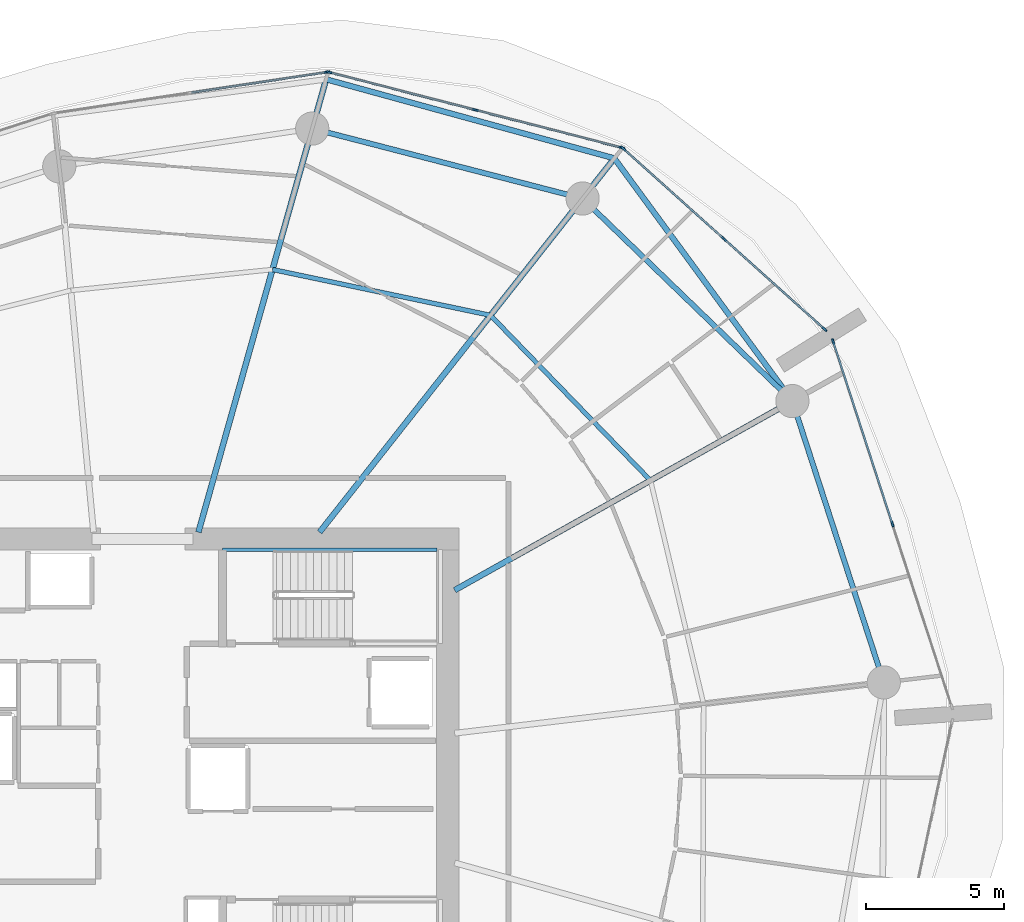
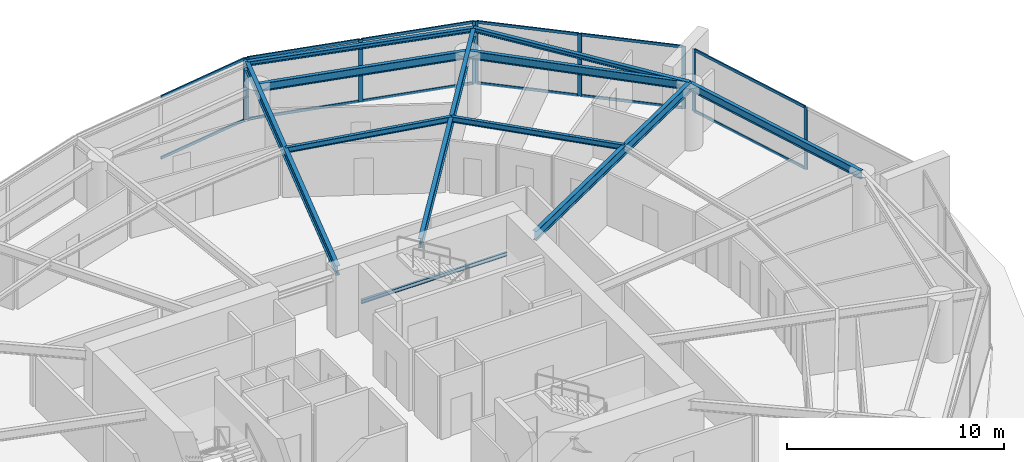
# One storey, part 10 of 17: 21 members, 11 beams, 4 elements without a shape of their own.
"""IFC4 building model written with IfcOpenShell, lengths in metres."""

from ifc_helpers import new_model, si_unit, direction, frame, origin, origin_2d, place, context, subcontext, project, spatial, rectangle, i_section, extrude, material, layer, layer_set, material_profile, profile_set, type_object, element, aggregate, save


model = new_model("IFC4")

# Units and contexts
model_context = context("Model", 3, precision=1e-05, world=origin(), true_north=direction((0.0, 1.0)))
body_context = subcontext(model_context, "Body", "Model", "MODEL_VIEW")
ifc_project = project(units=[si_unit("LENGTHUNIT", "METRE"), si_unit("AREAUNIT", "SQUARE_METRE"), si_unit("VOLUMEUNIT", "CUBIC_METRE"), si_unit("PLANEANGLEUNIT", "RADIAN"), si_unit("MASSUNIT", "GRAM", prefix="KILO")], contexts=[model_context])

# Site, building, storey
site_placement = place(None, origin())
site = spatial("IfcSite", under=ifc_project, at=site_placement, CompositionType="ELEMENT")
building_placement = place(site_placement, origin())
building = spatial("IfcBuilding", under=site, at=building_placement, Name="Kazma Halo Residences", CompositionType="ELEMENT")
storey_placement = place(building_placement, frame((0.0, 0.0, 75.14990234375)))
storey = spatial("IfcBuildingStorey", under=building, at=storey_placement, Name="L18", CompositionType="ELEMENT", Elevation=75.14990234375)

# Beams
ifc_material_1 = material(Name="Steel S355", Category="steel")
ifc_material_profile_1 = material_profile(ifc_material_1, i_section(OverallWidth=0.201904296875, OverallDepth=0.2470703125, WebThickness=0.00732421875, FlangeThickness=0.010986328125, FilletRadius=0.011962890625, at=origin_2d()), Name="W250x49.1")
ifc_profile_set_1 = profile_set([ifc_material_profile_1], Name="Steel S355")
beam_type_1 = type_object("IfcBeamType", Name="BM-BAL-CANT", PredefinedType="BEAM", material=ifc_profile_set_1)
beam_1_placement = place(storey_placement, frame((71.9033203125, 55.386474609375, 3.376708984375), z_axis=(-0.59144927253, 0.806342209005, 0.0), x_axis=(-0.806342209005, -0.59144927253, 0.0)))
element("IfcBeam", 1, at=beam_1_placement, inside=storey, type_object=beam_type_1, Name="L18 wave-balcony lead tie beam 01", PredefinedType="BEAM", context=body_context, shape_type="SweptSolid", body=[
    extrude(i_section(OverallWidth=0.201904296875, OverallDepth=0.2470703125, WebThickness=0.00732421875, FlangeThickness=0.010986328125, FilletRadius=0.011962890625, at=origin_2d()), origin(), (0.0, 0.0, 1.0), 10.87939453125),
])
beam_2_placement = place(storey_placement, frame((65.46875, 64.158935546875, 3.376708984375), z_axis=(-0.964396617, 0.264460139, 0.0), x_axis=(-0.264460139, -0.964396617, 0.0)))
element("IfcBeam", 2, at=beam_2_placement, inside=storey, type_object=beam_type_1, Name="L18 wave-balcony tie beam 02", PredefinedType="BEAM", context=body_context, shape_type="SweptSolid", body=[
    extrude(i_section(OverallWidth=0.201904296875, OverallDepth=0.2470703125, WebThickness=0.00732421875, FlangeThickness=0.010986328125, FilletRadius=0.011962890625, at=origin_2d()), origin(), (0.0, 0.0, 1.0), 10.79833984375),
])
ifc_material_profile_2 = material_profile(ifc_material_1, i_section(OverallWidth=0.208984375, OverallDepth=0.532958984375, WebThickness=0.01025390625, FlangeThickness=0.015625, FilletRadius=0.01611328125, at=origin_2d()), Name="W530x92")
ifc_profile_set_2 = profile_set([ifc_material_profile_2], Name="Steel S355")
beam_type_2 = type_object("IfcBeamType", Name="BM-RAD-W530", PredefinedType="BEAM", material=ifc_profile_set_2)
beam_3_placement = place(storey_placement, frame((59.699951171875, 48.55224609375, 3.233642578125), z_axis=(0.87249559794, 0.488621972055, 0.0), x_axis=(-0.488621972055, 0.87249559794, 0.0)))
element("IfcBeam", 3, at=beam_3_placement, inside=storey, type_object=beam_type_2, Name="L18 radial floor beam 01", PredefinedType="BEAM", context=body_context, shape_type="SweptSolid", body=[
    extrude(i_section(OverallWidth=0.208984375, OverallDepth=0.532958984375, WebThickness=0.01025390625, FlangeThickness=0.015625, FilletRadius=0.01611328125, at=origin_2d()), origin(), (0.0, 0.0, 1.0), 13.98681640625),
])
beam_4_placement = place(storey_placement, frame((54.819091796875, 50.64990234375, 3.233642578125), z_axis=(0.619093774822, 0.785317068436, 0.0), x_axis=(-0.785317068436, 0.619093774822, 0.0)))
element("IfcBeam", 4, at=beam_4_placement, inside=storey, type_object=beam_type_2, Name="L18 radial floor beam 02", PredefinedType="BEAM", context=body_context, shape_type="SweptSolid", body=[
    extrude(i_section(OverallWidth=0.208984375, OverallDepth=0.532958984375, WebThickness=0.01025390625, FlangeThickness=0.015625, FilletRadius=0.01611328125, at=origin_2d()), origin(), (0.0, 0.0, 1.0), 17.201904296875),
])
beam_5_placement = place(storey_placement, frame((50.439697265625, 50.64990234375, 3.233642578125), z_axis=(0.271434928076, 0.962456793742, 0.0), x_axis=(-0.962456793742, 0.271434928076, 0.0)))
element("IfcBeam", 5, at=beam_5_placement, inside=storey, type_object=beam_type_2, Name="L18 radial floor beam 03", PredefinedType="BEAM", context=body_context, shape_type="SweptSolid", body=[
    extrude(i_section(OverallWidth=0.208984375, OverallDepth=0.532958984375, WebThickness=0.01025390625, FlangeThickness=0.015625, FilletRadius=0.01611328125, at=origin_2d()), origin(), (0.0, 0.0, 1.0), 17.003173828125),
])
ifc_material_profile_3 = material_profile(ifc_material_1, i_section(OverallWidth=0.1650390625, OverallDepth=0.31005859375, WebThickness=0.005859375, FlangeThickness=0.009765625, FilletRadius=0.011962890625, at=origin_2d()), Name="W310x38.7")
ifc_profile_set_3 = profile_set([ifc_material_profile_3], Name="Steel S355")
beam_type_3 = type_object("IfcBeamType", Name="BM-SEC-W310B", PredefinedType="JOIST", material=ifc_profile_set_3)
beam_6_placement = place(storey_placement, frame((66.77783203125, 52.51611328125, 3.34521484375), z_axis=(-0.695765378161, 0.718269126827, 0.0), x_axis=(-0.718269126827, -0.695765378161, 0.0)))
element("IfcBeam", 6, at=beam_6_placement, inside=storey, type_object=beam_type_3, Name="L18 circumferential floor joist 01", PredefinedType="JOIST", context=body_context, shape_type="SweptSolid", body=[
    extrude(i_section(OverallWidth=0.1650390625, OverallDepth=0.31005859375, WebThickness=0.005859375, FlangeThickness=0.009765625, FilletRadius=0.011962890625, at=origin_2d()), origin(), (0.0, 0.0, 1.0), 8.310302734375),
])
beam_7_placement = place(storey_placement, frame((60.995849609375, 58.485107421875, 3.34521484375), z_axis=(-0.978607976751, 0.205733876255, 0.0), x_axis=(-0.205733876255, -0.978607976751, 0.0)))
element("IfcBeam", 7, at=beam_7_placement, inside=storey, type_object=beam_type_3, Name="L18 circumferential floor joist 02", PredefinedType="JOIST", context=body_context, shape_type="SweptSolid", body=[
    extrude(i_section(OverallWidth=0.1650390625, OverallDepth=0.31005859375, WebThickness=0.005859375, FlangeThickness=0.009765625, FilletRadius=0.011962890625, at=origin_2d()), origin(), (0.0, 0.0, 1.0), 8.051513671875),
])
ifc_material_profile_4 = material_profile(ifc_material_1, i_section(OverallWidth=0.18994140625, OverallDepth=0.45703125, WebThickness=0.009033203125, FlangeThickness=0.014404296875, FilletRadius=0.01611328125, at=origin_2d()), Name="W460x74")
ifc_profile_set_4 = profile_set([ifc_material_profile_4], Name="Steel S355")
beam_type_4 = type_object("IfcBeamType", Name="BM-SPN-W460", PredefinedType="BEAM", material=ifc_profile_set_4)
beam_8_placement = place(storey_placement, frame((71.9033203125, 55.386474609375, 3.271484375), z_axis=(-0.719336783114, 0.694661494873, 0.0), x_axis=(-0.694661494873, -0.719336783114, 0.0)))
element("IfcBeam", 8, at=beam_8_placement, inside=storey, type_object=beam_type_4, Name="L18 perimeter ring beam 01", PredefinedType="BEAM", context=body_context, shape_type="SweptSolid", body=[
    extrude(i_section(OverallWidth=0.18994140625, OverallDepth=0.45703125, WebThickness=0.009033203125, FlangeThickness=0.014404296875, FilletRadius=0.01611328125, at=origin_2d()), origin(), (0.0, 0.0, 1.0), 10.537353515625),
])
beam_9_placement = place(storey_placement, frame((64.323486328125, 62.706298828125, 3.271484375), z_axis=(-0.968124968683, 0.250467652626, 0.0), x_axis=(-0.250467652626, -0.968124968683, 0.0)))
element("IfcBeam", 9, at=beam_9_placement, inside=storey, type_object=beam_type_4, Name="L18 perimeter ring beam 02", PredefinedType="BEAM", context=body_context, shape_type="SweptSolid", body=[
    extrude(i_section(OverallWidth=0.18994140625, OverallDepth=0.45703125, WebThickness=0.009033203125, FlangeThickness=0.014404296875, FilletRadius=0.01611328125, at=origin_2d()), origin(), (0.0, 0.0, 1.0), 10.092529296875),
])
beam_10_placement = place(storey_placement, frame((75.20654296875, 45.22021484375, 3.271484375), z_axis=(-0.309017385422, 0.951056389236, 0.0), x_axis=(-0.951056389236, -0.309017385422, 0.0)))
element("IfcBeam", 10, at=beam_10_placement, inside=storey, type_object=beam_type_4, Name="L18 perimeter ring beam 16", PredefinedType="BEAM", context=body_context, shape_type="SweptSolid", body=[
    extrude(i_section(OverallWidth=0.18994140625, OverallDepth=0.45703125, WebThickness=0.009033203125, FlangeThickness=0.014404296875, FilletRadius=0.01611328125, at=origin_2d()), origin(), (0.0, 0.0, 1.0), 10.689453125),
])
ifc_material_profile_5 = material_profile(ifc_material_1, i_section(OverallWidth=0.133056640625, OverallDepth=0.20703125, WebThickness=0.005859375, FlangeThickness=0.00830078125, FilletRadius=0.010009765625, at=origin_2d()), Name="W200x26.6")
ifc_profile_set_5 = profile_set([ifc_material_profile_5], Name="Steel S355")
beam_type_5 = type_object("IfcBeamType", Name="BM-TRIM-W200", PredefinedType="BEAM", material=ifc_profile_set_5)
beam_11_placement = place(storey_placement, frame((51.31005859375, 50.02001953125, 1.570068359375), z_axis=(1.0, 0.0, 0.0), x_axis=(0.0, 1.0, 0.0)))
element("IfcBeam", 11, at=beam_11_placement, inside=storey, type_object=beam_type_5, Name="L18 ST-02 landing north wall ledger", PredefinedType="BEAM", context=body_context, shape_type="SweptSolid", body=[
    extrude(i_section(OverallWidth=0.133056640625, OverallDepth=0.20703125, WebThickness=0.005859375, FlangeThickness=0.00830078125, FilletRadius=0.010009765625, at=origin_2d()), origin(), (0.0, 0.0, 1.0), 7.760009765625),
])

# Curtain wall, members
ifc_material_2 = material(Name="Aluminium AW-6063 T6 and Triple-Silver Low-E Glass", Category="aluminium")
ifc_layer = layer(ifc_material_2, 0.199951171875)
ifc_layer_set = layer_set([ifc_layer], Name="Aluminium AW-6063 T6 and Triple-Silver Low-E Glass")
curtain_wall_type = type_object("IfcCurtainWallType", Name="CW-SYS-3", PredefinedType="NOTDEFINED", material=ifc_layer_set)
curtain_wall_1_placement = place(storey_placement, origin())
curtain_wall_1 = element("IfcCurtainWall", 12, at=curtain_wall_1_placement, inside=storey, type_object=curtain_wall_type, Name="L18 unitised curtain wall B01", PredefinedType="NOTDEFINED")
ifc_material_3 = material(Name="Aluminium AW-6063 T6", Category="aluminium")
ifc_material_profile_6 = material_profile(ifc_material_3, rectangle(XDim=0.070068359375, YDim=0.199951171875, at=origin_2d()), Name="CWM-70x200")
ifc_profile_set_6 = profile_set([ifc_material_profile_6], Name="Aluminium AW-6063 T6")
member_type_1 = type_object("IfcMemberType", Name="CW-SYS-3-MUL", PredefinedType="MULLION", material=ifc_profile_set_6)
member_1_placement = place(storey_placement, frame((73.071044921875, 57.981201171875, 0.0), z_axis=(0.0, 0.0, 1.0), x_axis=(-0.667794957375, -0.744345279359, 0.0)))
member_1 = element("IfcMember", 13, at=member_1_placement, type_object=member_type_1, Name="CWS-3 mullion 1", PredefinedType="MULLION", context=body_context, shape_type="SweptSolid", body=[
    extrude(rectangle(XDim=0.070068359375, YDim=0.199951171875, at=origin_2d()), origin(), (0.0, 0.0, 1.0), 3.5),
])
member_2_placement = place(storey_placement, frame((69.431396484375, 61.24658203125, 0.0), z_axis=(0.0, 0.0, 1.0), x_axis=(-0.667794957375, -0.744345279359, 0.0)))
member_2 = element("IfcMember", 14, at=member_2_placement, type_object=member_type_1, Name="CWS-3 mullion 2", PredefinedType="MULLION", context=body_context, shape_type="SweptSolid", body=[
    extrude(rectangle(XDim=0.070068359375, YDim=0.199951171875, at=origin_2d()), origin(), (0.0, 0.0, 1.0), 3.5),
])
member_3_placement = place(storey_placement, frame((65.791748046875, 64.51220703125, 0.0), z_axis=(0.0, 0.0, 1.0), x_axis=(-0.667794957375, -0.744345279359, 0.0)))
member_3 = element("IfcMember", 15, at=member_3_placement, type_object=member_type_1, Name="CWS-3 mullion 3", PredefinedType="MULLION", context=body_context, shape_type="SweptSolid", body=[
    extrude(rectangle(XDim=0.070068359375, YDim=0.199951171875, at=origin_2d()), origin(), (0.0, 0.0, 1.0), 3.5),
])

curtain_wall_2_placement = place(storey_placement, origin())
curtain_wall_2 = element("IfcCurtainWall", 16, at=curtain_wall_2_placement, inside=storey, type_object=curtain_wall_type, Name="L18 unitised curtain wall B02", PredefinedType="NOTDEFINED")
member_4_placement = place(storey_placement, frame((65.731689453125, 64.544189453125, 0.0), z_axis=(0.0, 0.0, 1.0), x_axis=(-0.249572384355, -0.968356145727, 0.0)))
member_4 = element("IfcMember", 17, at=member_4_placement, type_object=member_type_1, Name="CWS-3 mullion 1", PredefinedType="MULLION", context=body_context, shape_type="SweptSolid", body=[
    extrude(rectangle(XDim=0.070068359375, YDim=0.199951171875, at=origin_2d()), origin(), (0.0, 0.0, 1.0), 3.5),
])
member_5_placement = place(storey_placement, frame((60.447265625, 65.90625, 0.0), z_axis=(0.0, 0.0, 1.0), x_axis=(-0.249572384355, -0.968356145727, 0.0)))
member_5 = element("IfcMember", 18, at=member_5_placement, type_object=member_type_1, Name="CWS-3 mullion 2", PredefinedType="MULLION", context=body_context, shape_type="SweptSolid", body=[
    extrude(rectangle(XDim=0.070068359375, YDim=0.199951171875, at=origin_2d()), origin(), (0.0, 0.0, 1.0), 3.5),
])
member_6_placement = place(storey_placement, frame((55.16259765625, 67.26806640625, 0.0), z_axis=(0.0, 0.0, 1.0), x_axis=(-0.249572384355, -0.968356145727, 0.0)))
member_6 = element("IfcMember", 19, at=member_6_placement, type_object=member_type_1, Name="CWS-3 mullion 3", PredefinedType="MULLION", context=body_context, shape_type="SweptSolid", body=[
    extrude(rectangle(XDim=0.070068359375, YDim=0.199951171875, at=origin_2d()), origin(), (0.0, 0.0, 1.0), 3.5),
])

# Curtain wall, member
curtain_wall_3_placement = place(storey_placement, origin())
curtain_wall_3 = element("IfcCurtainWall", 20, at=curtain_wall_3_placement, inside=storey, type_object=curtain_wall_type, Name="L18 unitised curtain wall B03", PredefinedType="NOTDEFINED")
member_7_placement = place(storey_placement, frame((55.09423828125, 67.271728515625, 0.0), z_axis=(0.0, 0.0, 1.0), x_axis=(0.148717330409, -0.988879747814, 0.0)))
member_7 = element("IfcMember", 21, at=member_7_placement, type_object=member_type_1, Name="CWS-3 mullion 1", PredefinedType="MULLION", context=body_context, shape_type="SweptSolid", body=[
    extrude(rectangle(XDim=0.070068359375, YDim=0.199951171875, at=origin_2d()), origin(), (0.0, 0.0, 1.0), 3.5),
])

# Curtain wall, members
curtain_wall_4_placement = place(storey_placement, origin())
curtain_wall_4 = element("IfcCurtainWall", 22, at=curtain_wall_4_placement, inside=storey, type_object=curtain_wall_type, Name="L18 unitised curtain wall B16", PredefinedType="NOTDEFINED")
member_8_placement = place(storey_placement, frame((75.52099609375, 50.942138671875, 0.0), z_axis=(0.0, 0.0, 1.0), x_axis=(-0.951057722508, -0.309013282008, 0.0)))
member_8 = element("IfcMember", 23, at=member_8_placement, type_object=member_type_1, Name="CWS-3 mullion 2", PredefinedType="MULLION", context=body_context, shape_type="SweptSolid", body=[
    extrude(rectangle(XDim=0.070068359375, YDim=0.199951171875, at=origin_2d()), origin(), (0.0, 0.0, 1.0), 3.5),
])
member_9_placement = place(storey_placement, frame((73.376708984375, 57.54150390625, 0.0), z_axis=(0.0, 0.0, 1.0), x_axis=(-0.951057722508, -0.309013282008, 0.0)))
member_9 = element("IfcMember", 24, at=member_9_placement, type_object=member_type_1, Name="CWS-3 mullion 3", PredefinedType="MULLION", context=body_context, shape_type="SweptSolid", body=[
    extrude(rectangle(XDim=0.070068359375, YDim=0.199951171875, at=origin_2d()), origin(), (0.0, 0.0, 1.0), 3.5),
])

# Member
ifc_material_profile_7 = material_profile(ifc_material_3, rectangle(XDim=0.070068359375, YDim=0.14990234375, at=origin_2d()), Name="CWT-70x150")
ifc_profile_set_7 = profile_set([ifc_material_profile_7], Name="Aluminium AW-6063 T6")
member_type_2 = type_object("IfcMemberType", Name="CW-SYS-3-TRN", PredefinedType="USERDEFINED", material=ifc_profile_set_7)
member_10_placement = place(storey_placement, frame((73.045166015625, 58.004638671875, 0.03515625), z_axis=(-0.744338471453, 0.667802545603, 0.0), x_axis=(-0.667802545603, -0.744338471453, 0.0)))
member_10 = element("IfcMember", 25, at=member_10_placement, type_object=member_type_2, Name="CWS-3 transom 1.1", ObjectType="TRANSOM", PredefinedType="USERDEFINED", context=body_context, shape_type="SweptSolid", body=[
    extrude(rectangle(XDim=0.070068359375, YDim=0.14990234375, at=origin_2d()), origin(), (0.0, 0.0, 1.0), 4.81982421875),
])

member_11_placement = place(storey_placement, frame((73.045166015625, 58.004638671875, 3.465087890625), z_axis=(-0.744338471453, 0.667802545603, 0.0), x_axis=(-0.667802545603, -0.744338471453, 0.0)))
member_11 = element("IfcMember", 26, at=member_11_placement, type_object=member_type_2, Name="CWS-3 transom 1.2", ObjectType="TRANSOM", PredefinedType="USERDEFINED", context=body_context, shape_type="SweptSolid", body=[
    extrude(rectangle(XDim=0.070068359375, YDim=0.14990234375, at=origin_2d()), origin(), (0.0, 0.0, 1.0), 4.81982421875),
])

member_12_placement = place(storey_placement, frame((69.4052734375, 61.27001953125, 0.03515625), z_axis=(-0.744338471453, 0.667802545603, 0.0), x_axis=(-0.667802545603, -0.744338471453, 0.0)))
member_12 = element("IfcMember", 27, at=member_12_placement, type_object=member_type_2, Name="CWS-3 transom 2.1", ObjectType="TRANSOM", PredefinedType="USERDEFINED", context=body_context, shape_type="SweptSolid", body=[
    extrude(rectangle(XDim=0.070068359375, YDim=0.14990234375, at=origin_2d()), origin(), (0.0, 0.0, 1.0), 4.81982421875),
])

member_13_placement = place(storey_placement, frame((69.4052734375, 61.27001953125, 3.465087890625), z_axis=(-0.744338471453, 0.667802545603, 0.0), x_axis=(-0.667802545603, -0.744338471453, 0.0)))
member_13 = element("IfcMember", 28, at=member_13_placement, type_object=member_type_2, Name="CWS-3 transom 2.2", ObjectType="TRANSOM", PredefinedType="USERDEFINED", context=body_context, shape_type="SweptSolid", body=[
    extrude(rectangle(XDim=0.070068359375, YDim=0.14990234375, at=origin_2d()), origin(), (0.0, 0.0, 1.0), 4.81982421875),
])

aggregate(curtain_wall_1, [member_1, member_2, member_3, member_10, member_11, member_12, member_13])

member_14_placement = place(storey_placement, frame((65.69775390625, 64.552978515625, 0.03515625), z_axis=(-0.968354741404, 0.24957783315, 0.0), x_axis=(-0.24957783315, -0.968354741404, 0.0)))
member_14 = element("IfcMember", 29, at=member_14_placement, type_object=member_type_2, Name="CWS-3 transom 1.1", ObjectType="TRANSOM", PredefinedType="USERDEFINED", context=body_context, shape_type="SweptSolid", body=[
    extrude(rectangle(XDim=0.070068359375, YDim=0.14990234375, at=origin_2d()), origin(), (0.0, 0.0, 1.0), 5.386962890625),
])

member_15_placement = place(storey_placement, frame((65.69775390625, 64.552978515625, 3.465087890625), z_axis=(-0.968354741404, 0.24957783315, 0.0), x_axis=(-0.24957783315, -0.968354741404, 0.0)))
member_15 = element("IfcMember", 30, at=member_15_placement, type_object=member_type_2, Name="CWS-3 transom 1.2", ObjectType="TRANSOM", PredefinedType="USERDEFINED", context=body_context, shape_type="SweptSolid", body=[
    extrude(rectangle(XDim=0.070068359375, YDim=0.14990234375, at=origin_2d()), origin(), (0.0, 0.0, 1.0), 5.386962890625),
])

member_16_placement = place(storey_placement, frame((60.413330078125, 65.9150390625, 0.03515625), z_axis=(-0.968357564167, 0.249566880656, 0.0), x_axis=(-0.249566880656, -0.968357564167, 0.0)))
member_16 = element("IfcMember", 31, at=member_16_placement, type_object=member_type_2, Name="CWS-3 transom 2.1", ObjectType="TRANSOM", PredefinedType="USERDEFINED", context=body_context, shape_type="SweptSolid", body=[
    extrude(rectangle(XDim=0.070068359375, YDim=0.14990234375, at=origin_2d()), origin(), (0.0, 0.0, 1.0), 5.38720703125),
])

member_17_placement = place(storey_placement, frame((60.413330078125, 65.9150390625, 3.465087890625), z_axis=(-0.968357564167, 0.249566880656, 0.0), x_axis=(-0.249566880656, -0.968357564167, 0.0)))
member_17 = element("IfcMember", 32, at=member_17_placement, type_object=member_type_2, Name="CWS-3 transom 2.2", ObjectType="TRANSOM", PredefinedType="USERDEFINED", context=body_context, shape_type="SweptSolid", body=[
    extrude(rectangle(XDim=0.070068359375, YDim=0.14990234375, at=origin_2d()), origin(), (0.0, 0.0, 1.0), 5.38720703125),
])

aggregate(curtain_wall_2, [member_4, member_5, member_6, member_14, member_15, member_16, member_17])

member_18_placement = place(storey_placement, frame((55.0595703125, 67.2666015625, 0.03515625), z_axis=(-0.988876977991, -0.148735746878, 0.0), x_axis=(0.148735746878, -0.988876977991, 0.0)))
member_18 = element("IfcMember", 33, at=member_18_placement, type_object=member_type_2, Name="CWS-3 transom 1.1", ObjectType="TRANSOM", PredefinedType="USERDEFINED", context=body_context, shape_type="SweptSolid", body=[
    extrude(rectangle(XDim=0.070068359375, YDim=0.14990234375, at=origin_2d()), origin(), (0.0, 0.0, 1.0), 4.922607421875),
])

member_19_placement = place(storey_placement, frame((55.0595703125, 67.2666015625, 3.465087890625), z_axis=(-0.988876977991, -0.148735746878, 0.0), x_axis=(0.148735746878, -0.988876977991, 0.0)))
member_19 = element("IfcMember", 34, at=member_19_placement, type_object=member_type_2, Name="CWS-3 transom 1.2", ObjectType="TRANSOM", PredefinedType="USERDEFINED", context=body_context, shape_type="SweptSolid", body=[
    extrude(rectangle(XDim=0.070068359375, YDim=0.14990234375, at=origin_2d()), origin(), (0.0, 0.0, 1.0), 4.922607421875),
])

aggregate(curtain_wall_3, [member_7, member_18, member_19])

member_20_placement = place(storey_placement, frame((75.51025390625, 50.975341796875, 0.03515625), z_axis=(-0.309000079699, 0.95106201204, 0.0), x_axis=(-0.95106201204, -0.309000079699, 0.0)))
member_20 = element("IfcMember", 35, at=member_20_placement, type_object=member_type_2, Name="CWS-3 transom 2.1", ObjectType="TRANSOM", PredefinedType="USERDEFINED", context=body_context, shape_type="SweptSolid", body=[
    extrude(rectangle(XDim=0.070068359375, YDim=0.14990234375, at=origin_2d()), origin(), (0.0, 0.0, 1.0), 6.869140625),
])

member_21_placement = place(storey_placement, frame((75.51025390625, 50.975341796875, 3.465087890625), z_axis=(-0.309000079699, 0.95106201204, 0.0), x_axis=(-0.95106201204, -0.309000079699, 0.0)))
member_21 = element("IfcMember", 36, at=member_21_placement, type_object=member_type_2, Name="CWS-3 transom 2.2", ObjectType="TRANSOM", PredefinedType="USERDEFINED", context=body_context, shape_type="SweptSolid", body=[
    extrude(rectangle(XDim=0.070068359375, YDim=0.14990234375, at=origin_2d()), origin(), (0.0, 0.0, 1.0), 6.869140625),
])

aggregate(curtain_wall_4, [member_8, member_9, member_20, member_21])

save(model, "model.ifc")
